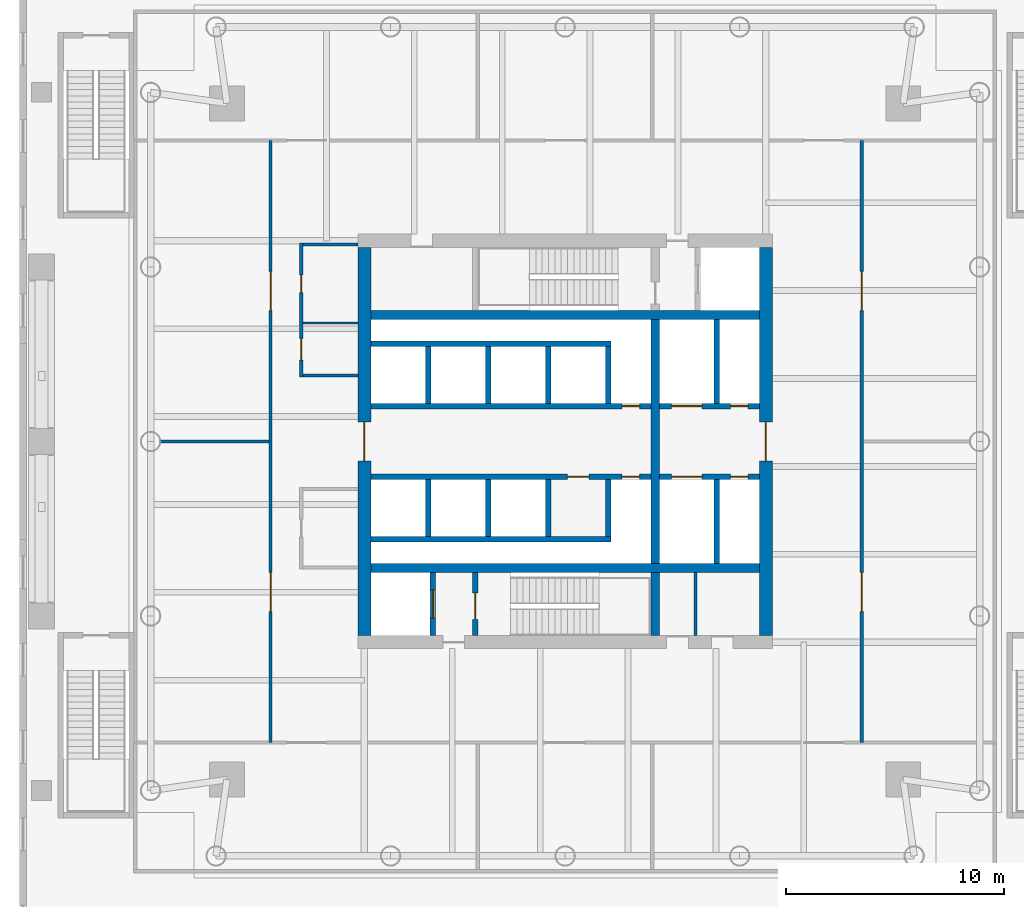
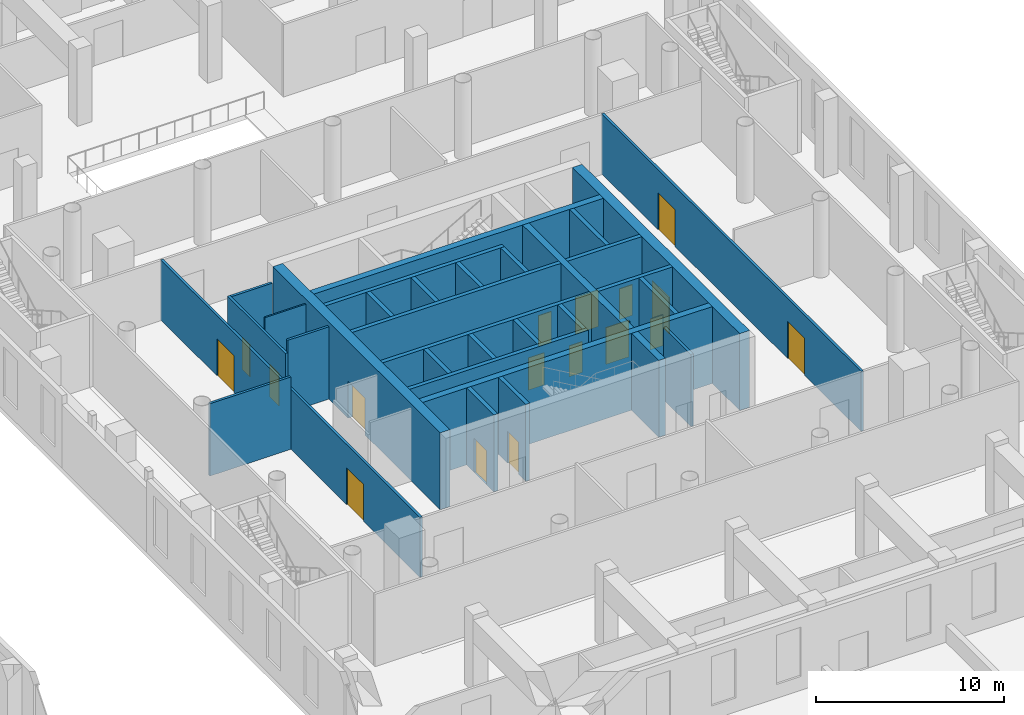
# One storey, part 16 of 26: 32 walls, 17 doors, 17 openings.
"""IFC4 building model written with IfcOpenShell, lengths in metres."""

from ifc_helpers import new_model, si_unit, direction, frame, frame_2d, origin, place, context, subcontext, project, spatial, rectangle, extrude, material, layer, layer_set, type_object, element, fill, save


model = new_model("IFC4")

# Units and contexts
model_context = context("Model", 3, precision=1e-05, world=origin(), true_north=direction((0.0, 1.0)))
body_context = subcontext(model_context, "Body", "Model", "MODEL_VIEW")
ifc_project = project(units=[si_unit("LENGTHUNIT", "METRE"), si_unit("AREAUNIT", "SQUARE_METRE"), si_unit("VOLUMEUNIT", "CUBIC_METRE"), si_unit("PLANEANGLEUNIT", "RADIAN"), si_unit("MASSUNIT", "GRAM", prefix="KILO")], contexts=[model_context])

# Site, building, storey
site_placement = place(None, origin())
site = spatial("IfcSite", under=ifc_project, at=site_placement, CompositionType="ELEMENT")
building_placement = place(site_placement, origin())
building = spatial("IfcBuilding", under=site, at=building_placement, Name="Ostroluk Exchange", CompositionType="ELEMENT")
storey_placement = place(building_placement, frame((0.0, 0.0, 6.0)))
storey = spatial("IfcBuildingStorey", under=building, at=storey_placement, Name="L01", CompositionType="ELEMENT", Elevation=6.0)

# Walls
ifc_material_1 = material(Name="Concrete blockwork", Category="masonry")
ifc_layer_1 = layer(ifc_material_1, 0.10009765625)
ifc_layer_set_1 = layer_set([ifc_layer_1], Name="Blockwork WC wall 100")
wall_type_1 = type_object("IfcWallType", Name="Blockwork WC wall 100", PredefinedType="SOLIDWALL", material=ifc_layer_set_1)
wall_1_placement = place(storey_placement, frame((104.97509765625, 51.425048828125, 0.0), z_axis=(0.0, 0.0, 1.0), x_axis=(1.0, 0.0, 0.0)))
element("IfcWall", 1, at=wall_1_placement, inside=storey, type_object=wall_type_1, Name="Blockwork WC wall", PredefinedType="SOLIDWALL", context=body_context, shape_type="SweptSolid", body=[
    extrude(rectangle(XDim=2.52490234375, YDim=0.10009765625, at=frame_2d((1.262451171875, 0.0))), origin(), (0.0, 0.0, 1.0), 4.699951171875),
])
ifc_material_2 = material(Name="Concrete blockwork", Category="masonry")
ifc_layer_2 = layer(ifc_material_2, 0.14990234375)
ifc_layer_set_2 = layer_set([ifc_layer_2], Name="Blockwork plant room wall 150")
wall_type_2 = type_object("IfcWallType", Name="Blockwork plant room wall 150", PredefinedType="SOLIDWALL", material=ifc_layer_set_2)
wall_2_placement = place(storey_placement, frame((122.97509765625, 37.10009765625, 0.0), z_axis=(0.0, 0.0, 1.0), x_axis=(0.0, 1.0, 0.0)))
element("IfcWall", 2, at=wall_2_placement, inside=storey, type_object=wall_type_2, Name="Core room wall", PredefinedType="SOLIDWALL", context=body_context, shape_type="SweptSolid", body=[
    extrude(rectangle(XDim=2.89990234375, YDim=0.14990234375, at=frame_2d((1.449951171875, 0.0))), origin(), (0.0, 0.0, 1.0), 4.699951171875),
])
ifc_material_3 = material(Name="Concrete C50/60", Category="concrete")
ifc_layer_3 = layer(ifc_material_3, 0.39990234375)
ifc_layer_set_3 = layer_set([ifc_layer_3], Name="Core cross wall 400 C50/60")
wall_type_3 = type_object("IfcWallType", Name="Core cross wall 400 C50/60", PredefinedType="SHEAR", material=ifc_layer_set_3)
for number, where, z_axis, x_axis, name in (
    (3, (108.10009765625, 40.199951171875, 0.0), (0.0, 0.0, 1.0), (1.0, 0.0, 0.0), "T2 core wall XS"),
    (4, (108.10009765625, 51.800048828125, 0.0), (0.0, 0.0, 1.0), (1.0, 0.0, 0.0), "T2 core wall XN"),
):
    element("IfcWall", number, at=place(storey_placement, frame(where, z_axis=z_axis, x_axis=x_axis)), inside=storey, type_object=wall_type_3, Name=name, PredefinedType="SHEAR", context=body_context, shape_type="SweptSolid", body=[
        extrude(rectangle(XDim=17.7998046875, YDim=0.39990234375, at=frame_2d((8.89990234375, 0.0))), origin(), (0.0, 0.0, 1.0), 5.0),
    ])
wall_3_placement = place(storey_placement, frame((121.1298828125, 37.10009765625, 0.0), z_axis=(0.0, 0.0, 1.0), x_axis=(0.0, 1.0, 0.0)))
element("IfcWall", 5, at=wall_3_placement, inside=storey, type_object=wall_type_3, Name="T2 core wall YE1", PredefinedType="SHEAR", context=body_context, shape_type="SweptSolid", body=[
    extrude(rectangle(XDim=2.89990234375, YDim=0.39990234375, at=frame_2d((1.449951171875, 0.0))), origin(), (0.0, 0.0, 1.0), 5.0),
])
wall_4_placement = place(storey_placement, frame((121.1298828125, 40.39990234375, 0.0), z_axis=(0.0, 0.0, 1.0), x_axis=(0.0, 1.0, 0.0)))
element("IfcWall", 6, at=wall_4_placement, inside=storey, type_object=wall_type_3, Name="T2 core wall YE2", PredefinedType="SHEAR", context=body_context, shape_type="SweptSolid", body=[
    extrude(rectangle(XDim=11.2001953125, YDim=0.39990234375, at=frame_2d((5.60009765625, 0.0))), origin(), (0.0, 0.0, 1.0), 5.0),
])

# Wall, opening, door
ifc_material_4 = material(Name="Concrete C40/50", Category="concrete")
ifc_layer_4 = layer(ifc_material_4, 0.25)
ifc_layer_set_4 = layer_set([ifc_layer_4], Name="Core shaft wall 250")
wall_type_4 = type_object("IfcWallType", Name="Core shaft wall 250", PredefinedType="SHEAR", material=ifc_layer_set_4)
wall_5_placement = place(storey_placement, frame((110.925048828125, 37.10009765625, 0.0), z_axis=(0.0, 0.0, 1.0), x_axis=(0.0, 1.0, 0.0)))
wall_5 = element("IfcWall", 7, at=wall_5_placement, inside=storey, type_object=wall_type_4, Name="Firefighting lift shaft wall", PredefinedType="SHEAR", context=body_context, shape_type="SweptSolid", body=[
    extrude(rectangle(XDim=2.89990234375, YDim=0.25, at=frame_2d((1.449951171875, 0.0))), origin(), (0.0, 0.0, 1.0), 5.0),
])
opening_1_placement = place(wall_5_placement, frame((0.800048828125, 0.0, 0.0)))
opening_1 = element("IfcOpeningElement", 8, at=opening_1_placement, cuts=wall_5, Name="Opening LD2", PredefinedType="OPENING", context=body_context, shape_type="SweptSolid", body=[
    extrude(rectangle(XDim=1.300048828125, YDim=2.199951171875, at=frame_2d((0.64990234375, 1.10009765625))), frame((0.0, 0.135009765625, 0.0), z_axis=(0.0, -1.0, 0.0), x_axis=(1.0, 0.0, 0.0)), (0.0, 0.0, 1.0), 0.27001953125),
])
ifc_material_5 = material(Name="Stainless steel", Category="steel")
door_type_1 = type_object("IfcDoorType", Name="Lift landing door E 60 1300 x 2200", OperationType="DOUBLE_DOOR_SLIDING", PredefinedType="DOOR", material=ifc_material_5)
door_1_placement = place(opening_1_placement, origin())
door_1 = element("IfcDoor", 9, at=door_1_placement, inside=storey, type_object=door_type_1, Name="Lift HF1 landing door", OperationType="DOUBLE_DOOR_SLIDING", OverallHeight=2.199951171875, OverallWidth=1.300048828125, PredefinedType="DOOR", context=body_context, shape_type="SweptSolid", body=[
    extrude(rectangle(XDim=1.300048828125, YDim=2.199951171875, at=frame_2d((0.64990234375, 1.10009765625))), frame((0.0, 0.02490234375, 0.0), z_axis=(0.0, -1.0, 0.0), x_axis=(1.0, 0.0, 0.0)), (0.0, 0.0, 1.0), 0.050048828125),
])
fill(opening_1, door_1)

wall_6_placement = place(storey_placement, frame((112.875, 37.10009765625, 0.0), z_axis=(0.0, 0.0, 1.0), x_axis=(0.0, 1.0, 0.0)))
wall_6 = element("IfcWall", 10, at=wall_6_placement, inside=storey, type_object=wall_type_4, Name="Stair shaft wall", PredefinedType="SHEAR", context=body_context, shape_type="SweptSolid", body=[
    extrude(rectangle(XDim=2.89990234375, YDim=0.25, at=frame_2d((1.449951171875, 0.0))), origin(), (0.0, 0.0, 1.0), 5.0),
])
opening_2_placement = place(wall_6_placement, frame((0.75, 0.0, 0.0)))
opening_2 = element("IfcOpeningElement", 11, at=opening_2_placement, cuts=wall_6, Name="Opening FD60S", PredefinedType="OPENING", context=body_context, shape_type="SweptSolid", body=[
    extrude(rectangle(XDim=1.199951171875, YDim=2.10009765625, at=frame_2d((0.60009765625, 1.050048828125))), frame((0.0, 0.135009765625, 0.0), z_axis=(0.0, -1.0, 0.0), x_axis=(1.0, 0.0, 0.0)), (0.0, 0.0, 1.0), 0.27001953125),
])
ifc_material_6 = material(Name="Steel", Category="steel")
door_type_2 = type_object("IfcDoorType", Name="Stair door EI 60 1200 x 2100", OperationType="SINGLE_SWING_LEFT", PredefinedType="DOOR", material=ifc_material_6)
door_2_placement = place(opening_2_placement, origin())
door_2 = element("IfcDoor", 12, at=door_2_placement, inside=storey, type_object=door_type_2, Name="Stair T2-S1 door", OperationType="SINGLE_SWING_LEFT", OverallHeight=2.10009765625, OverallWidth=1.199951171875, PredefinedType="DOOR", context=body_context, shape_type="SweptSolid", body=[
    extrude(rectangle(XDim=1.199951171875, YDim=2.10009765625, at=frame_2d((0.60009765625, 1.050048828125))), frame((0.0, 0.02490234375, 0.0), z_axis=(0.0, -1.0, 0.0), x_axis=(1.0, 0.0, 0.0)), (0.0, 0.0, 1.0), 0.050048828125),
])
fill(opening_2, door_2)

# Walls
for number, where, z_axis, x_axis, name in (
    (13, (110.72509765625, 47.75, 0.0), (0.0, 0.0, 1.0), (0.0, 1.0, 0.0), "Lift shaft wall"),
    (14, (113.47509765625, 47.75, 0.0), (0.0, 0.0, 1.0), (0.0, 1.0, 0.0), "Lift shaft wall"),
    (15, (116.22509765625, 47.75, 0.0), (0.0, 0.0, 1.0), (0.0, 1.0, 0.0), "Lift shaft wall"),
    (16, (118.97509765625, 47.75, 0.0), (0.0, 0.0, 1.0), (0.0, 1.0, 0.0), "Lift shaft wall"),
):
    element("IfcWall", number, at=place(storey_placement, frame(where, z_axis=z_axis, x_axis=x_axis)), inside=storey, type_object=wall_type_4, Name=name, PredefinedType="SHEAR", context=body_context, shape_type="SweptSolid", body=[
        extrude(rectangle(XDim=2.60009765625, YDim=0.25, at=frame_2d((1.300048828125, 0.0))), origin(), (0.0, 0.0, 1.0), 5.0),
    ])
wall_7_placement = place(storey_placement, frame((108.10009765625, 50.47509765625, 0.0), z_axis=(0.0, 0.0, 1.0), x_axis=(1.0, 0.0, 0.0)))
element("IfcWall", 17, at=wall_7_placement, inside=storey, type_object=wall_type_4, Name="Lift shaft wall", PredefinedType="SHEAR", context=body_context, shape_type="SweptSolid", body=[
    extrude(rectangle(XDim=11.0, YDim=0.25, at=frame_2d((5.5, 0.0))), origin(), (0.0, 0.0, 1.0), 5.0),
])

# Wall, opening, door
wall_8_placement = place(storey_placement, frame((108.10009765625, 47.625, 0.0), z_axis=(0.0, 0.0, 1.0), x_axis=(1.0, 0.0, 0.0)))
wall_8 = element("IfcWall", 18, at=wall_8_placement, inside=storey, type_object=wall_type_4, Name="Lift shaft front wall", PredefinedType="SHEAR", context=body_context, shape_type="SweptSolid", body=[
    extrude(rectangle(XDim=12.829833984375, YDim=0.25, at=frame_2d((6.4150390625, 0.0))), origin(), (0.0, 0.0, 1.0), 5.0),
])
opening_3_placement = place(wall_8_placement, frame((11.514892578125, 0.0, 0.0)))
opening_3 = element("IfcOpeningElement", 19, at=opening_3_placement, cuts=wall_8, Name="Opening RD60", PredefinedType="OPENING", context=body_context, shape_type="SweptSolid", body=[
    extrude(rectangle(XDim=0.800048828125, YDim=2.0, at=frame_2d((0.39990234375, 1.0))), frame((0.0, 0.135009765625, 0.0), z_axis=(0.0, -1.0, 0.0), x_axis=(1.0, 0.0, 0.0)), (0.0, 0.0, 1.0), 0.27001953125),
])
ifc_material_7 = material(Name="Steel", Category="steel")
door_type_3 = type_object("IfcDoorType", Name="Riser access door EI 60 800 x 2000", OperationType="SINGLE_SWING_LEFT", PredefinedType="DOOR", material=ifc_material_7)
door_3_placement = place(opening_3_placement, origin())
door_3 = element("IfcDoor", 20, at=door_3_placement, inside=storey, type_object=door_type_3, Name="Riser access door", OperationType="SINGLE_SWING_RIGHT", OverallHeight=2.0, OverallWidth=0.800048828125, PredefinedType="DOOR", context=body_context, shape_type="SweptSolid", body=[
    extrude(rectangle(XDim=0.800048828125, YDim=2.0, at=frame_2d((0.39990234375, 1.0))), frame((0.0, 0.02490234375, 0.0), z_axis=(0.0, -1.0, 0.0), x_axis=(1.0, 0.0, 0.0)), (0.0, 0.0, 1.0), 0.050048828125),
])
fill(opening_3, door_3)

# Walls
for number, where, z_axis, x_axis, name in (
    (21, (110.72509765625, 44.25, 0.0), (0.0, 0.0, 1.0), (0.0, -1.0, 0.0), "Lift shaft wall"),
    (22, (113.47509765625, 44.25, 0.0), (0.0, 0.0, 1.0), (0.0, -1.0, 0.0), "Lift shaft wall"),
    (23, (116.22509765625, 44.25, 0.0), (0.0, 0.0, 1.0), (0.0, -1.0, 0.0), "Lift shaft wall"),
    (24, (118.97509765625, 44.25, 0.0), (0.0, 0.0, 1.0), (0.0, -1.0, 0.0), "Lift shaft wall"),
):
    element("IfcWall", number, at=place(storey_placement, frame(where, z_axis=z_axis, x_axis=x_axis)), inside=storey, type_object=wall_type_4, Name=name, PredefinedType="SHEAR", context=body_context, shape_type="SweptSolid", body=[
        extrude(rectangle(XDim=2.60009765625, YDim=0.25, at=frame_2d((1.300048828125, 0.0))), origin(), (0.0, 0.0, 1.0), 5.0),
    ])
wall_9_placement = place(storey_placement, frame((108.10009765625, 41.52490234375, 0.0), z_axis=(0.0, 0.0, 1.0), x_axis=(1.0, 0.0, 0.0)))
element("IfcWall", 25, at=wall_9_placement, inside=storey, type_object=wall_type_4, Name="Lift shaft wall", PredefinedType="SHEAR", context=body_context, shape_type="SweptSolid", body=[
    extrude(rectangle(XDim=11.0, YDim=0.25, at=frame_2d((5.5, 0.0))), origin(), (0.0, 0.0, 1.0), 5.0),
])

# Wall, openings, doors
wall_10_placement = place(storey_placement, frame((108.10009765625, 44.375, 0.0), z_axis=(0.0, 0.0, 1.0), x_axis=(1.0, 0.0, 0.0)))
wall_10 = element("IfcWall", 26, at=wall_10_placement, inside=storey, type_object=wall_type_4, Name="Lift shaft front wall", PredefinedType="SHEAR", context=body_context, shape_type="SweptSolid", body=[
    extrude(rectangle(XDim=12.829833984375, YDim=0.25, at=frame_2d((6.4150390625, 0.0))), origin(), (0.0, 0.0, 1.0), 5.0),
])
opening_4_placement = place(wall_10_placement, frame((9.0, 0.0, 0.0)))
opening_4 = element("IfcOpeningElement", 27, at=opening_4_placement, cuts=wall_10, Name="Opening FD60", PredefinedType="OPENING", context=body_context, shape_type="SweptSolid", body=[
    extrude(rectangle(XDim=1.0, YDim=2.10009765625, at=frame_2d((0.5, 1.050048828125))), frame((0.0, 0.135009765625, 0.0), z_axis=(0.0, -1.0, 0.0), x_axis=(1.0, 0.0, 0.0)), (0.0, 0.0, 1.0), 0.27001953125),
])
opening_5_placement = place(wall_10_placement, frame((11.514892578125, 0.0, 0.0)))
opening_5 = element("IfcOpeningElement", 28, at=opening_5_placement, cuts=wall_10, Name="Opening RD60", PredefinedType="OPENING", context=body_context, shape_type="SweptSolid", body=[
    extrude(rectangle(XDim=0.800048828125, YDim=2.0, at=frame_2d((0.39990234375, 1.0))), frame((0.0, 0.135009765625, 0.0), z_axis=(0.0, -1.0, 0.0), x_axis=(1.0, 0.0, 0.0)), (0.0, 0.0, 1.0), 0.27001953125),
])
ifc_material_8 = material(Name="Steel", Category="steel")
door_type_4 = type_object("IfcDoorType", Name="Fire door EI 60 1000 x 2100", OperationType="SINGLE_SWING_LEFT", PredefinedType="DOOR", material=ifc_material_8)
door_4_placement = place(opening_4_placement, origin())
door_4 = element("IfcDoor", 29, at=door_4_placement, inside=storey, type_object=door_type_4, Name="Core room door", OperationType="SINGLE_SWING_RIGHT", OverallHeight=2.10009765625, OverallWidth=1.0, PredefinedType="DOOR", context=body_context, shape_type="SweptSolid", body=[
    extrude(rectangle(XDim=1.0, YDim=2.10009765625, at=frame_2d((0.5, 1.050048828125))), frame((0.0, 0.02490234375, 0.0), z_axis=(0.0, -1.0, 0.0), x_axis=(1.0, 0.0, 0.0)), (0.0, 0.0, 1.0), 0.050048828125),
])
fill(opening_4, door_4)
door_5_placement = place(opening_5_placement, origin())
door_5 = element("IfcDoor", 30, at=door_5_placement, inside=storey, type_object=door_type_3, Name="Riser access door", OperationType="SINGLE_SWING_RIGHT", OverallHeight=2.0, OverallWidth=0.800048828125, PredefinedType="DOOR", context=body_context, shape_type="SweptSolid", body=[
    extrude(rectangle(XDim=0.800048828125, YDim=2.0, at=frame_2d((0.39990234375, 1.0))), frame((0.0, 0.02490234375, 0.0), z_axis=(0.0, -1.0, 0.0), x_axis=(1.0, 0.0, 0.0)), (0.0, 0.0, 1.0), 0.050048828125),
])
fill(opening_5, door_5)

# Wall
wall_11_placement = place(storey_placement, frame((123.955078125, 47.75, 0.0), z_axis=(0.0, 0.0, 1.0), x_axis=(0.0, 1.0, 0.0)))
element("IfcWall", 31, at=wall_11_placement, inside=storey, type_object=wall_type_4, Name="Lift shaft wall", PredefinedType="SHEAR", context=body_context, shape_type="SweptSolid", body=[
    extrude(rectangle(XDim=3.85009765625, YDim=0.25, at=frame_2d((1.925048828125, 0.0))), origin(), (0.0, 0.0, 1.0), 5.0),
])

# Wall, openings, doors
wall_12_placement = place(storey_placement, frame((121.330078125, 47.625, 0.0), z_axis=(0.0, 0.0, 1.0), x_axis=(1.0, 0.0, 0.0)))
wall_12 = element("IfcWall", 32, at=wall_12_placement, inside=storey, type_object=wall_type_4, Name="Lift shaft front wall", PredefinedType="SHEAR", context=body_context, shape_type="SweptSolid", body=[
    extrude(rectangle(XDim=4.56982421875, YDim=0.25, at=frame_2d((2.284912109375, 0.0))), origin(), (0.0, 0.0, 1.0), 5.0),
])
opening_6_placement = place(wall_12_placement, frame((0.550048828125, 0.0, 0.0)))
opening_6 = element("IfcOpeningElement", 33, at=opening_6_placement, cuts=wall_12, Name="Opening LD3", PredefinedType="OPENING", context=body_context, shape_type="SweptSolid", body=[
    extrude(rectangle(XDim=1.39990234375, YDim=2.39990234375, at=frame_2d((0.699951171875, 1.199951171875))), frame((0.0, 0.135009765625, 0.0), z_axis=(0.0, -1.0, 0.0), x_axis=(1.0, 0.0, 0.0)), (0.0, 0.0, 1.0), 0.27001953125),
])
opening_7_placement = place(wall_12_placement, frame((3.260009765625, 0.0, 0.0)))
opening_7 = element("IfcOpeningElement", 34, at=opening_7_placement, cuts=wall_12, Name="Opening RD60", PredefinedType="OPENING", context=body_context, shape_type="SweptSolid", body=[
    extrude(rectangle(XDim=0.800048828125, YDim=2.0, at=frame_2d((0.39990234375, 1.0))), frame((0.0, 0.135009765625, 0.0), z_axis=(0.0, -1.0, 0.0), x_axis=(1.0, 0.0, 0.0)), (0.0, 0.0, 1.0), 0.27001953125),
])
ifc_material_9 = material(Name="Stainless steel", Category="steel")
door_type_5 = type_object("IfcDoorType", Name="Goods lift landing door E 60 1400 x 2400", OperationType="DOUBLE_DOOR_SLIDING", PredefinedType="DOOR", material=ifc_material_9)
door_6_placement = place(opening_6_placement, origin())
door_6 = element("IfcDoor", 35, at=door_6_placement, inside=storey, type_object=door_type_5, Name="Lift HS1 landing door", OperationType="DOUBLE_DOOR_SLIDING", OverallHeight=2.39990234375, OverallWidth=1.39990234375, PredefinedType="DOOR", context=body_context, shape_type="SweptSolid", body=[
    extrude(rectangle(XDim=1.39990234375, YDim=2.39990234375, at=frame_2d((0.699951171875, 1.199951171875))), frame((0.0, 0.02490234375, 0.0), z_axis=(0.0, -1.0, 0.0), x_axis=(1.0, 0.0, 0.0)), (0.0, 0.0, 1.0), 0.050048828125),
])
fill(opening_6, door_6)
door_7_placement = place(opening_7_placement, origin())
door_7 = element("IfcDoor", 36, at=door_7_placement, inside=storey, type_object=door_type_3, Name="Riser access door", OperationType="SINGLE_SWING_RIGHT", OverallHeight=2.0, OverallWidth=0.800048828125, PredefinedType="DOOR", context=body_context, shape_type="SweptSolid", body=[
    extrude(rectangle(XDim=0.800048828125, YDim=2.0, at=frame_2d((0.39990234375, 1.0))), frame((0.0, 0.02490234375, 0.0), z_axis=(0.0, -1.0, 0.0), x_axis=(1.0, 0.0, 0.0)), (0.0, 0.0, 1.0), 0.050048828125),
])
fill(opening_7, door_7)

# Wall
wall_13_placement = place(storey_placement, frame((123.955078125, 44.25, 0.0), z_axis=(0.0, 0.0, 1.0), x_axis=(0.0, -1.0, 0.0)))
element("IfcWall", 37, at=wall_13_placement, inside=storey, type_object=wall_type_4, Name="Lift shaft wall", PredefinedType="SHEAR", context=body_context, shape_type="SweptSolid", body=[
    extrude(rectangle(XDim=3.85009765625, YDim=0.25, at=frame_2d((1.925048828125, 0.0))), origin(), (0.0, 0.0, 1.0), 5.0),
])

# Wall, openings, doors
wall_14_placement = place(storey_placement, frame((121.330078125, 44.375, 0.0), z_axis=(0.0, 0.0, 1.0), x_axis=(1.0, 0.0, 0.0)))
wall_14 = element("IfcWall", 38, at=wall_14_placement, inside=storey, type_object=wall_type_4, Name="Lift shaft front wall", PredefinedType="SHEAR", context=body_context, shape_type="SweptSolid", body=[
    extrude(rectangle(XDim=4.56982421875, YDim=0.25, at=frame_2d((2.284912109375, 0.0))), origin(), (0.0, 0.0, 1.0), 5.0),
])
opening_8_placement = place(wall_14_placement, frame((0.550048828125, 0.0, 0.0)))
opening_8 = element("IfcOpeningElement", 39, at=opening_8_placement, cuts=wall_14, Name="Opening LD3", PredefinedType="OPENING", context=body_context, shape_type="SweptSolid", body=[
    extrude(rectangle(XDim=1.39990234375, YDim=2.39990234375, at=frame_2d((0.699951171875, 1.199951171875))), frame((0.0, 0.135009765625, 0.0), z_axis=(0.0, -1.0, 0.0), x_axis=(1.0, 0.0, 0.0)), (0.0, 0.0, 1.0), 0.27001953125),
])
opening_9_placement = place(wall_14_placement, frame((3.260009765625, 0.0, 0.0)))
opening_9 = element("IfcOpeningElement", 40, at=opening_9_placement, cuts=wall_14, Name="Opening RD60", PredefinedType="OPENING", context=body_context, shape_type="SweptSolid", body=[
    extrude(rectangle(XDim=0.800048828125, YDim=2.0, at=frame_2d((0.39990234375, 1.0))), frame((0.0, 0.135009765625, 0.0), z_axis=(0.0, -1.0, 0.0), x_axis=(1.0, 0.0, 0.0)), (0.0, 0.0, 1.0), 0.27001953125),
])
door_8_placement = place(opening_8_placement, origin())
door_8 = element("IfcDoor", 41, at=door_8_placement, inside=storey, type_object=door_type_5, Name="Lift HS2 landing door", OperationType="DOUBLE_DOOR_SLIDING", OverallHeight=2.39990234375, OverallWidth=1.39990234375, PredefinedType="DOOR", context=body_context, shape_type="SweptSolid", body=[
    extrude(rectangle(XDim=1.39990234375, YDim=2.39990234375, at=frame_2d((0.699951171875, 1.199951171875))), frame((0.0, 0.02490234375, 0.0), z_axis=(0.0, -1.0, 0.0), x_axis=(1.0, 0.0, 0.0)), (0.0, 0.0, 1.0), 0.050048828125),
])
fill(opening_8, door_8)
door_9_placement = place(opening_9_placement, origin())
door_9 = element("IfcDoor", 42, at=door_9_placement, inside=storey, type_object=door_type_3, Name="Riser access door", OperationType="SINGLE_SWING_RIGHT", OverallHeight=2.0, OverallWidth=0.800048828125, PredefinedType="DOOR", context=body_context, shape_type="SweptSolid", body=[
    extrude(rectangle(XDim=0.800048828125, YDim=2.0, at=frame_2d((0.39990234375, 1.0))), frame((0.0, 0.02490234375, 0.0), z_axis=(0.0, -1.0, 0.0), x_axis=(1.0, 0.0, 0.0)), (0.0, 0.0, 1.0), 0.050048828125),
])
fill(opening_9, door_9)

# Wall, opening, door
ifc_material_10 = material(Name="Concrete C50/60", Category="concrete")
ifc_layer_5 = layer(ifc_material_10, 0.60009765625)
ifc_layer_set_5 = layer_set([ifc_layer_5], Name="Core wall 600 C50/60")
wall_type_5 = type_object("IfcWallType", Name="Core wall 600 C50/60", PredefinedType="SHEAR", material=ifc_layer_set_5)
wall_15_placement = place(storey_placement, frame((107.800048828125, 37.10009765625, 0.0), z_axis=(0.0, 0.0, 1.0), x_axis=(0.0, 1.0, 0.0)))
wall_15 = element("IfcWall", 43, at=wall_15_placement, inside=storey, type_object=wall_type_5, Name="T2 core wall W", PredefinedType="SHEAR", context=body_context, shape_type="SweptSolid", body=[
    extrude(rectangle(XDim=17.7998046875, YDim=0.60009765625, at=frame_2d((8.89990234375, 0.0))), origin(), (0.0, 0.0, 1.0), 5.0),
])
opening_10_placement = place(wall_15_placement, frame((8.0, 0.0, 0.0)))
opening_10 = element("IfcOpeningElement", 44, at=opening_10_placement, cuts=wall_15, Name="Opening FD30D", PredefinedType="OPENING", context=body_context, shape_type="SweptSolid", body=[
    extrude(rectangle(XDim=1.800048828125, YDim=2.39990234375, at=frame_2d((0.89990234375, 1.199951171875))), frame((0.0, 0.31005859375, 0.0), z_axis=(0.0, -1.0, 0.0), x_axis=(1.0, 0.0, 0.0)), (0.0, 0.0, 1.0), 0.6201171875),
])
ifc_material_11 = material(Name="Timber", Category="wood")
door_type_6 = type_object("IfcDoorType", Name="Lobby double door EI 30 1800 x 2400", OperationType="DOUBLE_DOOR_SINGLE_SWING", PredefinedType="DOOR", material=ifc_material_11)
door_10_placement = place(opening_10_placement, origin())
door_10 = element("IfcDoor", 45, at=door_10_placement, inside=storey, type_object=door_type_6, Name="Lift lobby doors", OperationType="DOUBLE_DOOR_SINGLE_SWING", OverallHeight=2.39990234375, OverallWidth=1.800048828125, PredefinedType="DOOR", context=body_context, shape_type="SweptSolid", body=[
    extrude(rectangle(XDim=1.800048828125, YDim=2.39990234375, at=frame_2d((0.89990234375, 1.199951171875))), frame((0.0, 0.02490234375, 0.0), z_axis=(0.0, -1.0, 0.0), x_axis=(1.0, 0.0, 0.0)), (0.0, 0.0, 1.0), 0.050048828125),
])
fill(opening_10, door_10)

wall_16_placement = place(storey_placement, frame((126.199951171875, 37.10009765625, 0.0), z_axis=(0.0, 0.0, 1.0), x_axis=(0.0, 1.0, 0.0)))
wall_16 = element("IfcWall", 46, at=wall_16_placement, inside=storey, type_object=wall_type_5, Name="T2 core wall E", PredefinedType="SHEAR", context=body_context, shape_type="SweptSolid", body=[
    extrude(rectangle(XDim=17.7998046875, YDim=0.60009765625, at=frame_2d((8.89990234375, 0.0))), origin(), (0.0, 0.0, 1.0), 5.0),
])
opening_11_placement = place(wall_16_placement, frame((8.0, 0.0, 0.0)))
opening_11 = element("IfcOpeningElement", 47, at=opening_11_placement, cuts=wall_16, Name="Opening FD30D", PredefinedType="OPENING", context=body_context, shape_type="SweptSolid", body=[
    extrude(rectangle(XDim=1.800048828125, YDim=2.39990234375, at=frame_2d((0.89990234375, 1.199951171875))), frame((0.0, 0.31005859375, 0.0), z_axis=(0.0, -1.0, 0.0), x_axis=(1.0, 0.0, 0.0)), (0.0, 0.0, 1.0), 0.6201171875),
])
door_11_placement = place(opening_11_placement, origin())
door_11 = element("IfcDoor", 48, at=door_11_placement, inside=storey, type_object=door_type_6, Name="Lift lobby doors", OperationType="DOUBLE_DOOR_SINGLE_SWING", OverallHeight=2.39990234375, OverallWidth=1.800048828125, PredefinedType="DOOR", context=body_context, shape_type="SweptSolid", body=[
    extrude(rectangle(XDim=1.800048828125, YDim=2.39990234375, at=frame_2d((0.89990234375, 1.199951171875))), frame((0.0, 0.02490234375, 0.0), z_axis=(0.0, -1.0, 0.0), x_axis=(1.0, 0.0, 0.0)), (0.0, 0.0, 1.0), 0.050048828125),
])
fill(opening_11, door_11)

# Wall, openings, doors
ifc_material_12 = material(Name="Gypsum plasterboard partition", Category="gypsum")
ifc_layer_6 = layer(ifc_material_12, 0.14990234375)
ifc_layer_set_6 = layer_set([ifc_layer_6], Name="Plasterboard partition 150")
wall_type_6 = type_object("IfcWallType", Name="Plasterboard partition 150", PredefinedType="PARTITIONING", material=ifc_layer_set_6)
wall_17_placement = place(storey_placement, frame((103.5, 32.199951171875, 0.0), z_axis=(0.0, 0.0, 1.0), x_axis=(0.0, 1.0, 0.0)))
wall_17 = element("IfcWall", 49, at=wall_17_placement, inside=storey, type_object=wall_type_6, Name="Partition", PredefinedType="PARTITIONING", context=body_context, shape_type="SweptSolid", body=[
    extrude(rectangle(XDim=27.60009765625, YDim=0.14990234375, at=frame_2d((13.800048828125, 0.0))), origin(), (0.0, 0.0, 1.0), 3.89990234375),
])
opening_12_placement = place(wall_17_placement, frame((6.0, 0.0, 0.0)))
opening_12 = element("IfcOpeningElement", 50, at=opening_12_placement, cuts=wall_17, Name="Opening D-04", PredefinedType="OPENING", context=body_context, shape_type="SweptSolid", body=[
    extrude(rectangle(XDim=1.800048828125, YDim=2.39990234375, at=frame_2d((0.89990234375, 1.199951171875))), frame((0.0, 0.0849609375, 0.0), z_axis=(0.0, -1.0, 0.0), x_axis=(1.0, 0.0, 0.0)), (0.0, 0.0, 1.0), 0.169921875),
])
opening_13_placement = place(wall_17_placement, frame((19.800048828125, 0.0, 0.0)))
opening_13 = element("IfcOpeningElement", 51, at=opening_13_placement, cuts=wall_17, Name="Opening D-04", PredefinedType="OPENING", context=body_context, shape_type="SweptSolid", body=[
    extrude(rectangle(XDim=1.800048828125, YDim=2.39990234375, at=frame_2d((0.89990234375, 1.199951171875))), frame((0.0, 0.0849609375, 0.0), z_axis=(0.0, -1.0, 0.0), x_axis=(1.0, 0.0, 0.0)), (0.0, 0.0, 1.0), 0.169921875),
])
ifc_material_13 = material(Name="Timber", Category="wood")
door_type_7 = type_object("IfcDoorType", Name="Double door 1800 x 2400", OperationType="DOUBLE_DOOR_SINGLE_SWING", PredefinedType="DOOR", material=ifc_material_13)
door_12_placement = place(opening_12_placement, origin())
door_12 = element("IfcDoor", 52, at=door_12_placement, inside=storey, type_object=door_type_7, Name="Goods store door", OperationType="DOUBLE_DOOR_SINGLE_SWING", OverallHeight=2.39990234375, OverallWidth=1.800048828125, PredefinedType="DOOR", context=body_context, shape_type="SweptSolid", body=[
    extrude(rectangle(XDim=1.800048828125, YDim=2.39990234375, at=frame_2d((0.89990234375, 1.199951171875))), frame((0.0, 0.02490234375, 0.0), z_axis=(0.0, -1.0, 0.0), x_axis=(1.0, 0.0, 0.0)), (0.0, 0.0, 1.0), 0.050048828125),
])
fill(opening_12, door_12)
door_13_placement = place(opening_13_placement, origin())
door_13 = element("IfcDoor", 53, at=door_13_placement, inside=storey, type_object=door_type_7, Name="Goods store door", OperationType="DOUBLE_DOOR_SINGLE_SWING", OverallHeight=2.39990234375, OverallWidth=1.800048828125, PredefinedType="DOOR", context=body_context, shape_type="SweptSolid", body=[
    extrude(rectangle(XDim=1.800048828125, YDim=2.39990234375, at=frame_2d((0.89990234375, 1.199951171875))), frame((0.0, 0.02490234375, 0.0), z_axis=(0.0, -1.0, 0.0), x_axis=(1.0, 0.0, 0.0)), (0.0, 0.0, 1.0), 0.050048828125),
])
fill(opening_13, door_13)

# Wall
wall_18_placement = place(storey_placement, frame((98.45703125, 46.0, 0.0), z_axis=(0.0, 0.0, 1.0), x_axis=(1.0, 0.0, 0.0)))
element("IfcWall", 54, at=wall_18_placement, inside=storey, type_object=wall_type_6, Name="Partition", PredefinedType="PARTITIONING", context=body_context, shape_type="SweptSolid", body=[
    extrude(rectangle(XDim=4.968017578125, YDim=0.14990234375, at=frame_2d((2.48388671875, 0.0))), origin(), (0.0, 0.0, 1.0), 4.699951171875),
])

# Wall, openings, doors
wall_19_placement = place(storey_placement, frame((130.60009765625, 32.199951171875, 0.0), z_axis=(0.0, 0.0, 1.0), x_axis=(0.0, 1.0, 0.0)))
wall_19 = element("IfcWall", 55, at=wall_19_placement, inside=storey, type_object=wall_type_6, Name="Partition", PredefinedType="PARTITIONING", context=body_context, shape_type="SweptSolid", body=[
    extrude(rectangle(XDim=27.60009765625, YDim=0.14990234375, at=frame_2d((13.800048828125, 0.0))), origin(), (0.0, 0.0, 1.0), 3.89990234375),
])
opening_14_placement = place(wall_19_placement, frame((6.0, 0.0, 0.0)))
opening_14 = element("IfcOpeningElement", 56, at=opening_14_placement, cuts=wall_19, Name="Opening D-04", PredefinedType="OPENING", context=body_context, shape_type="SweptSolid", body=[
    extrude(rectangle(XDim=1.800048828125, YDim=2.39990234375, at=frame_2d((0.89990234375, 1.199951171875))), frame((0.0, 0.0849609375, 0.0), z_axis=(0.0, -1.0, 0.0), x_axis=(1.0, 0.0, 0.0)), (0.0, 0.0, 1.0), 0.169921875),
])
opening_15_placement = place(wall_19_placement, frame((19.800048828125, 0.0, 0.0)))
opening_15 = element("IfcOpeningElement", 57, at=opening_15_placement, cuts=wall_19, Name="Opening D-04", PredefinedType="OPENING", context=body_context, shape_type="SweptSolid", body=[
    extrude(rectangle(XDim=1.800048828125, YDim=2.39990234375, at=frame_2d((0.89990234375, 1.199951171875))), frame((0.0, 0.0849609375, 0.0), z_axis=(0.0, -1.0, 0.0), x_axis=(1.0, 0.0, 0.0)), (0.0, 0.0, 1.0), 0.169921875),
])
door_14_placement = place(opening_14_placement, origin())
door_14 = element("IfcDoor", 58, at=door_14_placement, inside=storey, type_object=door_type_7, Name="Goods store door", OperationType="DOUBLE_DOOR_SINGLE_SWING", OverallHeight=2.39990234375, OverallWidth=1.800048828125, PredefinedType="DOOR", context=body_context, shape_type="SweptSolid", body=[
    extrude(rectangle(XDim=1.800048828125, YDim=2.39990234375, at=frame_2d((0.89990234375, 1.199951171875))), frame((0.0, 0.02490234375, 0.0), z_axis=(0.0, -1.0, 0.0), x_axis=(1.0, 0.0, 0.0)), (0.0, 0.0, 1.0), 0.050048828125),
])
fill(opening_14, door_14)
door_15_placement = place(opening_15_placement, origin())
door_15 = element("IfcDoor", 59, at=door_15_placement, inside=storey, type_object=door_type_7, Name="Goods store door", OperationType="DOUBLE_DOOR_SINGLE_SWING", OverallHeight=2.39990234375, OverallWidth=1.800048828125, PredefinedType="DOOR", context=body_context, shape_type="SweptSolid", body=[
    extrude(rectangle(XDim=1.800048828125, YDim=2.39990234375, at=frame_2d((0.89990234375, 1.199951171875))), frame((0.0, 0.02490234375, 0.0), z_axis=(0.0, -1.0, 0.0), x_axis=(1.0, 0.0, 0.0)), (0.0, 0.0, 1.0), 0.050048828125),
])
fill(opening_15, door_15)

ifc_material_14 = material(Name="Gypsum plasterboard partition, moisture resistant", Category="gypsum")
ifc_layer_7 = layer(ifc_material_14, 0.14990234375)
ifc_layer_set_7 = layer_set([ifc_layer_7], Name="Plasterboard toilet partition 150")
wall_type_7 = type_object("IfcWallType", Name="Plasterboard toilet partition 150", PredefinedType="PARTITIONING", material=ifc_layer_set_7)
wall_20_placement = place(storey_placement, frame((104.89990234375, 55.10009765625, 0.0), z_axis=(0.0, 0.0, 1.0), x_axis=(0.0, -1.0, 0.0)))
wall_20 = element("IfcWall", 60, at=wall_20_placement, inside=storey, type_object=wall_type_7, Name="Toilet partition", PredefinedType="PARTITIONING", context=body_context, shape_type="SweptSolid", body=[
    extrude(rectangle(XDim=6.150146484375, YDim=0.14990234375, at=frame_2d((3.0751953125, 0.0))), origin(), (0.0, 0.0, 1.0), 3.89990234375),
])
opening_16_placement = place(wall_20_placement, frame((1.47509765625, 0.0, 0.0)))
opening_16 = element("IfcOpeningElement", 61, at=opening_16_placement, cuts=wall_20, Name="Opening D-06", PredefinedType="OPENING", context=body_context, shape_type="SweptSolid", body=[
    extrude(rectangle(XDim=0.800048828125, YDim=2.10009765625, at=frame_2d((0.39990234375, 1.050048828125))), frame((0.0, 0.0849609375, 0.0), z_axis=(0.0, -1.0, 0.0), x_axis=(1.0, 0.0, 0.0)), (0.0, 0.0, 1.0), 0.169921875),
])
opening_17_placement = place(wall_20_placement, frame((4.375, 0.0, 0.0)))
opening_17 = element("IfcOpeningElement", 62, at=opening_17_placement, cuts=wall_20, Name="Opening D-03", PredefinedType="OPENING", context=body_context, shape_type="SweptSolid", body=[
    extrude(rectangle(XDim=1.0, YDim=2.10009765625, at=frame_2d((0.5, 1.050048828125))), frame((0.0, 0.0849609375, 0.0), z_axis=(0.0, -1.0, 0.0), x_axis=(1.0, 0.0, 0.0)), (0.0, 0.0, 1.0), 0.169921875),
])
ifc_material_15 = material(Name="Timber", Category="wood")
door_type_8 = type_object("IfcDoorType", Name="Internal door 1000 x 2100", OperationType="SINGLE_SWING_LEFT", PredefinedType="DOOR", material=ifc_material_15)
door_16_placement = place(opening_17_placement, origin())
door_16 = element("IfcDoor", 63, at=door_16_placement, inside=storey, type_object=door_type_8, Name="Accessible WC door", OperationType="SINGLE_SWING_RIGHT", OverallHeight=2.10009765625, OverallWidth=1.0, PredefinedType="DOOR", context=body_context, shape_type="SweptSolid", body=[
    extrude(rectangle(XDim=1.0, YDim=2.10009765625, at=frame_2d((0.5, 1.050048828125))), frame((0.0, 0.02490234375, 0.0), z_axis=(0.0, -1.0, 0.0), x_axis=(1.0, 0.0, 0.0)), (0.0, 0.0, 1.0), 0.050048828125),
])
fill(opening_17, door_16)
ifc_material_16 = material(Name="Timber", Category="wood")
door_type_9 = type_object("IfcDoorType", Name="Toilet door 800 x 2100", OperationType="SINGLE_SWING_LEFT", PredefinedType="DOOR", material=ifc_material_16)
door_17_placement = place(opening_16_placement, origin())
door_17 = element("IfcDoor", 64, at=door_17_placement, inside=storey, type_object=door_type_9, Name="WC female door", OperationType="SINGLE_SWING_LEFT", OverallHeight=2.10009765625, OverallWidth=0.800048828125, PredefinedType="DOOR", context=body_context, shape_type="SweptSolid", body=[
    extrude(rectangle(XDim=0.800048828125, YDim=2.10009765625, at=frame_2d((0.39990234375, 1.050048828125))), frame((0.0, 0.02490234375, 0.0), z_axis=(0.0, -1.0, 0.0), x_axis=(1.0, 0.0, 0.0)), (0.0, 0.0, 1.0), 0.050048828125),
])
fill(opening_16, door_17)

# Walls
wall_21_placement = place(storey_placement, frame((104.97509765625, 55.02490234375, 0.0), z_axis=(0.0, 0.0, 1.0), x_axis=(1.0, 0.0, 0.0)))
element("IfcWall", 65, at=wall_21_placement, inside=storey, type_object=wall_type_7, Name="Toilet partition", PredefinedType="PARTITIONING", context=body_context, shape_type="SweptSolid", body=[
    extrude(rectangle(XDim=2.52490234375, YDim=0.14990234375, at=frame_2d((1.262451171875, 0.0))), origin(), (0.0, 0.0, 1.0), 3.89990234375),
])
wall_22_placement = place(storey_placement, frame((104.97509765625, 49.02490234375, 0.0), z_axis=(0.0, 0.0, 1.0), x_axis=(1.0, 0.0, 0.0)))
element("IfcWall", 66, at=wall_22_placement, inside=storey, type_object=wall_type_7, Name="Toilet partition", PredefinedType="PARTITIONING", context=body_context, shape_type="SweptSolid", body=[
    extrude(rectangle(XDim=2.52490234375, YDim=0.14990234375, at=frame_2d((1.262451171875, 0.0))), origin(), (0.0, 0.0, 1.0), 4.699951171875),
])

save(model, "model.ifc")
